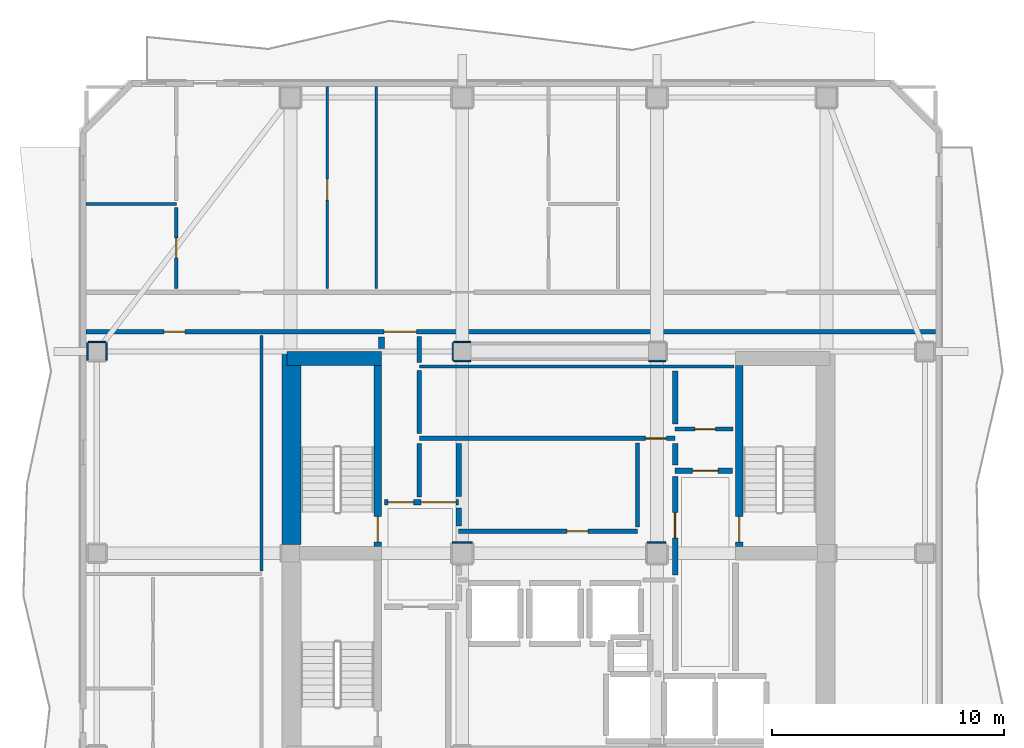
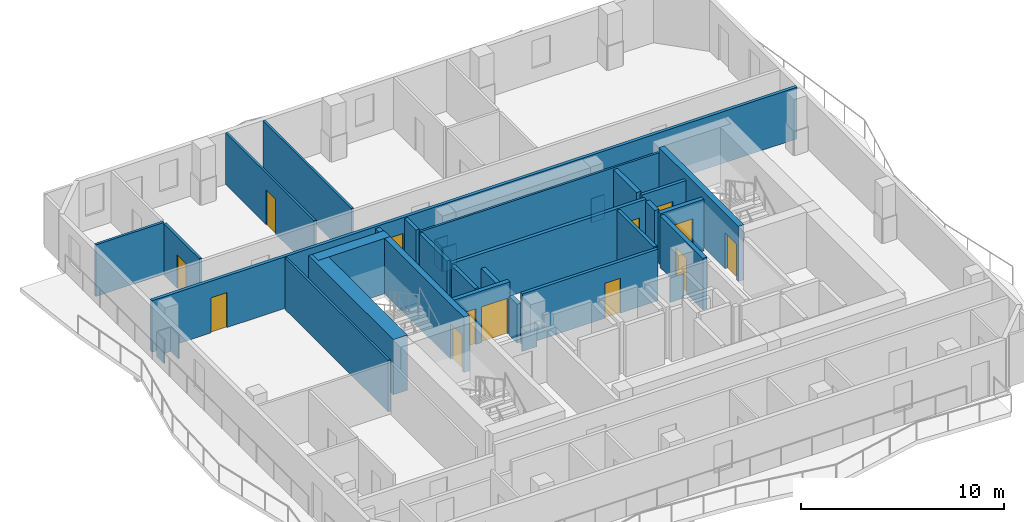
# One storey, part 4 of 10: 35 walls, 13 doors, 13 openings.
"""IFC4 building model written with IfcOpenShell, lengths in metres."""

from ifc_helpers import new_model, si_unit, direction, frame, frame_2d, origin, place, context, subcontext, project, spatial, rectangle, extrude, material, layer, layer_set, type_object, element, fill, save


model = new_model("IFC4")

# Units and contexts
model_context = context("Model", 3, precision=1e-05, world=origin(), true_north=direction((0.0, 1.0)))
body_context = subcontext(model_context, "Body", "Model", "MODEL_VIEW")
ifc_project = project(units=[si_unit("LENGTHUNIT", "METRE"), si_unit("AREAUNIT", "SQUARE_METRE"), si_unit("VOLUMEUNIT", "CUBIC_METRE"), si_unit("PLANEANGLEUNIT", "RADIAN"), si_unit("MASSUNIT", "GRAM", prefix="KILO")], contexts=[model_context])

# Site, building, storey
site_placement = place(None, origin())
site = spatial("IfcSite", under=ifc_project, at=site_placement, CompositionType="ELEMENT")
building_placement = place(site_placement, origin())
building = spatial("IfcBuilding", under=site, at=building_placement, Name="Solanera Arch Residences", CompositionType="ELEMENT")
storey_placement = place(building_placement, frame((0.0, 0.0, 265.56005859375)))
storey = spatial("IfcBuildingStorey", under=building, at=storey_placement, Name="L77", CompositionType="ELEMENT", Elevation=265.56005859375)

# Walls
ifc_material_1 = material(Name="Fire-Rated Gypsum Stud Partition", Category="gypsum")
ifc_layer_1 = layer(ifc_material_1, 0.06005859375)
ifc_layer_set_1 = layer_set([ifc_layer_1], Name="Fire-Rated Gypsum Stud Partition")
wall_type_1 = type_object("IfcWallType", Name="Column Acoustic Furring Wall 60", PredefinedType="PARTITIONING", material=ifc_layer_set_1)
for number, where, z_axis, x_axis, name in (
    (1, (20.425048828125, 38.992919921875, 0.0), (0.0, 0.0, 1.0), (1.0, 0.0, 0.0), "L77 Column Furring 3S"),
    (2, (20.425048828125, 39.806884765625, 0.0), (0.0, 0.0, 1.0), (1.0, 0.0, 0.0), "L77 Column Furring 3N"),
):
    element("IfcWall", number, at=place(storey_placement, frame(where, z_axis=z_axis, x_axis=x_axis)), inside=storey, type_object=wall_type_1, Name=name, PredefinedType="PARTITIONING", context=body_context, shape_type="SweptSolid", body=[
        extrude(rectangle(XDim=0.741943359375, YDim=0.06005859375, at=frame_2d((0.37109375, 0.0))), origin(), (0.0, 0.0, 1.0), 1.449951171875),
    ])
wall_1_placement = place(storey_placement, frame((20.39306640625, 39.02490234375, 0.0), z_axis=(0.0, 0.0, 1.0), x_axis=(0.0, 1.0, 0.0)))
element("IfcWall", 3, at=wall_1_placement, inside=storey, type_object=wall_type_1, Name="L77 Column Furring 3W", PredefinedType="PARTITIONING", context=body_context, shape_type="SweptSolid", body=[
    extrude(rectangle(XDim=0.75, YDim=0.06005859375, at=frame_2d((0.375, 0.0))), origin(), (0.0, 0.0, 1.0), 1.449951171875),
])
wall_2_placement = place(storey_placement, frame((28.8330078125, 38.992919921875, 0.0), z_axis=(0.0, 0.0, 1.0), x_axis=(1.0, 0.0, 0.0)))
element("IfcWall", 4, at=wall_2_placement, inside=storey, type_object=wall_type_1, Name="L77 Column Furring 4S", PredefinedType="PARTITIONING", context=body_context, shape_type="SweptSolid", body=[
    extrude(rectangle(XDim=0.741943359375, YDim=0.06005859375, at=frame_2d((0.37109375, 0.0))), origin(), (0.0, 0.0, 1.0), 1.449951171875),
])
wall_3_placement = place(storey_placement, frame((20.375, 31.156982421875, 0.0), z_axis=(0.0, 0.0, 1.0), x_axis=(1.0, 0.0, 0.0)))
element("IfcWall", 5, at=wall_3_placement, inside=storey, type_object=wall_type_1, Name="L77 Column Furring 7N", PredefinedType="PARTITIONING", context=body_context, shape_type="SweptSolid", body=[
    extrude(rectangle(XDim=0.85009765625, YDim=0.06005859375, at=frame_2d((0.425048828125, 0.0))), origin(), (0.0, 0.0, 1.0), 1.449951171875),
])
wall_4_placement = place(storey_placement, frame((28.77490234375, 31.156982421875, 0.0), z_axis=(0.0, 0.0, 1.0), x_axis=(1.0, 0.0, 0.0)))
element("IfcWall", 6, at=wall_4_placement, inside=storey, type_object=wall_type_1, Name="L77 Column Furring 8N", PredefinedType="PARTITIONING", context=body_context, shape_type="SweptSolid", body=[
    extrude(rectangle(XDim=0.794189453125, YDim=0.06005859375, at=frame_2d((0.39697265625, 0.0))), origin(), (0.0, 0.0, 1.0), 1.449951171875),
])
for number, where, z_axis, x_axis, name in (
    (7, (4.675048828125, 39.806884765625, 0.0), (0.0, 0.0, 1.0), (1.0, 0.0, 0.0), "L77 Column Furring 21N"),
    (8, (4.64306640625, 39.02490234375, 0.0), (0.0, 0.0, 1.0), (0.0, 1.0, 0.0), "L77 Column Furring 21W"),
    (9, (5.45703125, 39.02490234375, 0.0), (0.0, 0.0, 1.0), (0.0, 1.0, 0.0), "L77 Column Furring 21E"),
):
    element("IfcWall", number, at=place(storey_placement, frame(where, z_axis=z_axis, x_axis=x_axis)), inside=storey, type_object=wall_type_1, Name=name, PredefinedType="PARTITIONING", context=body_context, shape_type="SweptSolid", body=[
        extrude(rectangle(XDim=0.75, YDim=0.06005859375, at=frame_2d((0.375, 0.0))), origin(), (0.0, 0.0, 1.0), 1.449951171875),
    ])

# Wall, opening, door
ifc_material_2 = material(Name="Concrete C40/50 (f'c = 45 MPa)", Category="concrete")
ifc_layer_2 = layer(ifc_material_2, 0.320068359375)
ifc_layer_set_2 = layer_set([ifc_layer_2], Name="Concrete C40/50 (f'c = 45 MPa)")
wall_type_2 = type_object("IfcWallType", Name="Core Shear Wall CW-320", PredefinedType="SHEAR", material=ifc_layer_set_2)
wall_5_placement = place(storey_placement, frame((17.159912109375, 31.0, 0.0), z_axis=(0.0, 0.0, 1.0), x_axis=(0.0, 1.0, 0.0)))
wall_5 = element("IfcWall", 10, at=wall_5_placement, inside=storey, type_object=wall_type_2, Name="L77 Stair ST-T1 East Shear Wall", PredefinedType="SHEAR", context=body_context, shape_type="SweptSolid", body=[
    extrude(rectangle(XDim=7.800048828125, YDim=0.320068359375, at=frame_2d((3.89990234375, 0.0))), origin(), (0.0, 0.0, 1.0), 3.31982421875),
])
opening_1_placement = place(wall_5_placement, frame((0.18994140625, 0.0, 0.0)))
opening_1 = element("IfcOpeningElement", 11, at=opening_1_placement, cuts=wall_5, Name="Opening DF-01", PredefinedType="OPENING", context=body_context, shape_type="SweptSolid", body=[
    extrude(rectangle(XDim=1.10009765625, YDim=2.14990234375, at=frame_2d((0.550048828125, 1.074951171875))), frame((0.0, 0.169921875, 0.0), z_axis=(0.0, -1.0, 0.0), x_axis=(1.0, 0.0, 0.0)), (0.0, 0.0, 1.0), 0.3401),
])
ifc_material_3 = material(Name="Fire-Rated Architectural Hardwood", Category="wood")
door_type_1 = type_object("IfcDoorType", Name="Stair Exit Fire Door DF-01", OperationType="NOTDEFINED", PredefinedType="DOOR", material=ifc_material_3)
door_1_placement = place(opening_1_placement, origin())
door_1 = element("IfcDoor", 12, at=door_1_placement, inside=storey, type_object=door_type_1, Name="DR-L77-STAIR-ST-T1", OperationType="SINGLE_SWING_LEFT", OverallHeight=2.14990234375, OverallWidth=1.10009765625, PredefinedType="DOOR", context=body_context, shape_type="SweptSolid", body=[
    extrude(rectangle(XDim=1.10009765625, YDim=2.14990234375, at=frame_2d((0.550048828125, 1.074951171875))), frame((0.0, 0.02490234375, 0.0), z_axis=(0.0, -1.0, 0.0), x_axis=(1.0, 0.0, 0.0)), (0.0, 0.0, 1.0), 0.050048828125),
])
fill(opening_1, door_1)

wall_6_placement = place(storey_placement, frame((32.739990234375, 31.0, 0.0), z_axis=(0.0, 0.0, 1.0), x_axis=(0.0, 1.0, 0.0)))
wall_6 = element("IfcWall", 13, at=wall_6_placement, inside=storey, type_object=wall_type_2, Name="L77 Stair ST-T2 West Shear Wall", PredefinedType="SHEAR", context=body_context, shape_type="SweptSolid", body=[
    extrude(rectangle(XDim=7.800048828125, YDim=0.320068359375, at=frame_2d((3.89990234375, 0.0))), origin(), (0.0, 0.0, 1.0), 3.31982421875),
])
opening_2_placement = place(wall_6_placement, frame((0.18994140625, 0.0, 0.0)))
opening_2 = element("IfcOpeningElement", 14, at=opening_2_placement, cuts=wall_6, Name="Opening DF-01", PredefinedType="OPENING", context=body_context, shape_type="SweptSolid", body=[
    extrude(rectangle(XDim=1.10009765625, YDim=2.14990234375, at=frame_2d((0.550048828125, 1.074951171875))), frame((0.0, 0.169921875, 0.0), z_axis=(0.0, -1.0, 0.0), x_axis=(1.0, 0.0, 0.0)), (0.0, 0.0, 1.0), 0.3401),
])
door_2_placement = place(opening_2_placement, origin())
door_2 = element("IfcDoor", 15, at=door_2_placement, inside=storey, type_object=door_type_1, Name="DR-L77-STAIR-ST-T2", OperationType="SINGLE_SWING_RIGHT", OverallHeight=2.14990234375, OverallWidth=1.10009765625, PredefinedType="DOOR", context=body_context, shape_type="SweptSolid", body=[
    extrude(rectangle(XDim=1.10009765625, YDim=2.14990234375, at=frame_2d((0.550048828125, 1.074951171875))), frame((0.0, 0.02490234375, 0.0), z_axis=(0.0, -1.0, 0.0), x_axis=(1.0, 0.0, 0.0)), (0.0, 0.0, 1.0), 0.050048828125),
])
fill(opening_2, door_2)

# Walls
ifc_material_4 = material(Name="Concrete C40/50 (f'c = 45 MPa)", Category="concrete")
ifc_layer_3 = layer(ifc_material_4, 0.60009765625)
ifc_layer_set_3 = layer_set([ifc_layer_3], Name="Concrete C40/50 (f'c = 45 MPa)")
wall_type_3 = type_object("IfcWallType", Name="Core Shear Wall CW-600", PredefinedType="SHEAR", material=ifc_layer_set_3)
wall_7_placement = place(storey_placement, frame((13.239990234375, 39.10009765625, 0.0), z_axis=(0.0, 0.0, 1.0), x_axis=(1.0, 0.0, 0.0)))
element("IfcWall", 16, at=wall_7_placement, inside=storey, type_object=wall_type_3, Name="L77 North-West Core Shear Wall", PredefinedType="SHEAR", context=body_context, shape_type="SweptSolid", body=[
    extrude(rectangle(XDim=4.080078125, YDim=0.60009765625, at=frame_2d((2.0400390625, 0.0))), origin(), (0.0, 0.0, 1.0), 3.31982421875),
])
ifc_material_5 = material(Name="Concrete C40/50 (f'c = 45 MPa)", Category="concrete")
ifc_layer_4 = layer(ifc_material_5, 0.800048828125)
ifc_layer_set_4 = layer_set([ifc_layer_4], Name="Concrete C40/50 (f'c = 45 MPa)")
wall_type_4 = type_object("IfcWallType", Name="Core Shear Wall CW-800", PredefinedType="SHEAR", material=ifc_layer_set_4)
wall_8_placement = place(storey_placement, frame((13.43994140625, 31.080078125, 0.0), z_axis=(0.0, 0.0, 1.0), x_axis=(0.0, 1.0, 0.0)))
element("IfcWall", 17, at=wall_8_placement, inside=storey, type_object=wall_type_4, Name="L77 West Core North Shear Wall", PredefinedType="SHEAR", context=body_context, shape_type="SweptSolid", body=[
    extrude(rectangle(XDim=8.31982421875, YDim=0.800048828125, at=frame_2d((4.159912109375, 0.0))), origin(), (0.0, 0.0, 1.0), 3.31982421875),
])

# Wall, opening, door
ifc_material_6 = material(Name="Autoclaved Aerated Concrete Blockwork", Category="masonry")
ifc_layer_5 = layer(ifc_material_6, 0.179931640625)
ifc_layer_set_5 = layer_set([ifc_layer_5], Name="Autoclaved Aerated Concrete Blockwork")
wall_type_5 = type_object("IfcWallType", Name="Corridor Fire Partition 180", PredefinedType="PARTITIONING", material=ifc_layer_set_5)
wall_9_placement = place(storey_placement, frame((20.64990234375, 31.64990234375, 0.0), z_axis=(0.0, 0.0, 1.0), x_axis=(1.0, 0.0, 0.0)))
wall_9 = element("IfcWall", 18, at=wall_9_placement, inside=storey, type_object=wall_type_5, Name="L77 Interior Partition H9", PredefinedType="PARTITIONING", context=body_context, shape_type="SweptSolid", body=[
    extrude(rectangle(XDim=7.7001953125, YDim=0.179931640625, at=frame_2d((3.85009765625, 0.0))), origin(), (0.0, 0.0, 1.0), 3.099853515625),
])
opening_3_placement = place(wall_9_placement, frame((4.673095703125, 0.0, 0.0)))
opening_3 = element("IfcOpeningElement", 19, at=opening_3_placement, cuts=wall_9, Name="Opening DI-02", PredefinedType="OPENING", context=body_context, shape_type="SweptSolid", body=[
    extrude(rectangle(XDim=0.89990234375, YDim=2.10009765625, at=frame_2d((0.449951171875, 1.050048828125))), frame((0.0, 0.10009765625, 0.0), z_axis=(0.0, -1.0, 0.0), x_axis=(1.0, 0.0, 0.0)), (0.0, 0.0, 1.0), 0.1999),
])
ifc_material_7 = material(Name="Fire-Rated Architectural Hardwood", Category="wood")
door_type_2 = type_object("IfcDoorType", Name="Suite Room Swing Door DI-02", OperationType="NOTDEFINED", PredefinedType="DOOR", material=ifc_material_7)
door_3_placement = place(opening_3_placement, origin())
door_3 = element("IfcDoor", 20, at=door_3_placement, inside=storey, type_object=door_type_2, Name="DR-L77-IN-013", OperationType="SINGLE_SWING_LEFT", OverallHeight=2.10009765625, OverallWidth=0.89990234375, PredefinedType="DOOR", context=body_context, shape_type="SweptSolid", body=[
    extrude(rectangle(XDim=0.89990234375, YDim=2.10009765625, at=frame_2d((0.449951171875, 1.050048828125))), frame((0.0, 0.02490234375, 0.0), z_axis=(0.0, -1.0, 0.0), x_axis=(1.0, 0.0, 0.0)), (0.0, 0.0, 1.0), 0.050048828125),
])
fill(opening_3, door_3)

wall_10_placement = place(storey_placement, frame((29.97509765625, 36.050048828125, 0.0), z_axis=(0.0, 0.0, 1.0), x_axis=(1.0, 0.0, 0.0)))
wall_10 = element("IfcWall", 21, at=wall_10_placement, inside=storey, type_object=wall_type_5, Name="L77 Interior Partition H10", PredefinedType="PARTITIONING", context=body_context, shape_type="SweptSolid", body=[
    extrude(rectangle(XDim=2.5048828125, YDim=0.179931640625, at=frame_2d((1.25244140625, 0.0))), origin(), (0.0, 0.0, 1.0), 3.099853515625),
])
opening_4_placement = place(wall_10_placement, frame((0.85205078125, 0.0, 0.0)))
opening_4 = element("IfcOpeningElement", 22, at=opening_4_placement, cuts=wall_10, Name="Opening DI-02", PredefinedType="OPENING", context=body_context, shape_type="SweptSolid", body=[
    extrude(rectangle(XDim=0.89990234375, YDim=2.10009765625, at=frame_2d((0.449951171875, 1.050048828125))), frame((0.0, 0.10009765625, 0.0), z_axis=(0.0, -1.0, 0.0), x_axis=(1.0, 0.0, 0.0)), (0.0, 0.0, 1.0), 0.1999),
])
door_4_placement = place(opening_4_placement, origin())
door_4 = element("IfcDoor", 23, at=door_4_placement, inside=storey, type_object=door_type_2, Name="DR-L77-IN-011", OperationType="SINGLE_SWING_LEFT", OverallHeight=2.10009765625, OverallWidth=0.89990234375, PredefinedType="DOOR", context=body_context, shape_type="SweptSolid", body=[
    extrude(rectangle(XDim=0.89990234375, YDim=2.10009765625, at=frame_2d((0.449951171875, 1.050048828125))), frame((0.0, 0.02490234375, 0.0), z_axis=(0.0, -1.0, 0.0), x_axis=(1.0, 0.0, 0.0)), (0.0, 0.0, 1.0), 0.050048828125),
])
fill(opening_4, door_4)

# Wall, openings, doors
wall_11_placement = place(storey_placement, frame((4.5869140625, 40.25, 0.0), z_axis=(0.0, 0.0, 1.0), x_axis=(1.0, 0.0, 0.0)))
wall_11 = element("IfcWall", 24, at=wall_11_placement, inside=storey, type_object=wall_type_5, Name="L77 Interior Partition H11", PredefinedType="PARTITIONING", context=body_context, shape_type="SweptSolid", body=[
    extrude(rectangle(XDim=36.6259765625, YDim=0.179931640625, at=frame_2d((18.31298828125, 0.0))), origin(), (0.0, 0.0, 1.0), 3.099853515625),
])
opening_5_placement = place(wall_11_placement, frame((12.847900390625, 0.0, 0.0)))
opening_5 = element("IfcOpeningElement", 25, at=opening_5_placement, cuts=wall_11, Name="Opening DF-03", PredefinedType="OPENING", context=body_context, shape_type="SweptSolid", body=[
    extrude(rectangle(XDim=1.39990234375, YDim=2.14990234375, at=frame_2d((0.699951171875, 1.074951171875))), frame((0.0, 0.10009765625, 0.0), z_axis=(0.0, -1.0, 0.0), x_axis=(1.0, 0.0, 0.0)), (0.0, 0.0, 1.0), 0.1999),
])
opening_6_placement = place(wall_11_placement, frame((3.362060546875, 0.0, 0.0)))
opening_6 = element("IfcOpeningElement", 26, at=opening_6_placement, cuts=wall_11, Name="Opening DI-02", PredefinedType="OPENING", context=body_context, shape_type="SweptSolid", body=[
    extrude(rectangle(XDim=0.89990234375, YDim=2.10009765625, at=frame_2d((0.449951171875, 1.050048828125))), frame((0.0, 0.10009765625, 0.0), z_axis=(0.0, -1.0, 0.0), x_axis=(1.0, 0.0, 0.0)), (0.0, 0.0, 1.0), 0.1999),
])
ifc_material_8 = material(Name="Fire-Rated Architectural Hardwood", Category="wood")
door_type_3 = type_object("IfcDoorType", Name="Corridor Smoke Door DF-03", OperationType="NOTDEFINED", PredefinedType="DOOR", material=ifc_material_8)
door_5_placement = place(opening_5_placement, origin())
door_5 = element("IfcDoor", 27, at=door_5_placement, inside=storey, type_object=door_type_3, Name="DR-L77-IN-009", OperationType="SINGLE_SWING_LEFT", OverallHeight=2.14990234375, OverallWidth=1.39990234375, PredefinedType="DOOR", context=body_context, shape_type="SweptSolid", body=[
    extrude(rectangle(XDim=1.39990234375, YDim=2.14990234375, at=frame_2d((0.699951171875, 1.074951171875))), frame((0.0, 0.02490234375, 0.0), z_axis=(0.0, -1.0, 0.0), x_axis=(1.0, 0.0, 0.0)), (0.0, 0.0, 1.0), 0.050048828125),
])
fill(opening_5, door_5)
door_6_placement = place(opening_6_placement, origin())
door_6 = element("IfcDoor", 28, at=door_6_placement, inside=storey, type_object=door_type_2, Name="DR-L77-IN-034", OperationType="SINGLE_SWING_RIGHT", OverallHeight=2.10009765625, OverallWidth=0.89990234375, PredefinedType="DOOR", context=body_context, shape_type="SweptSolid", body=[
    extrude(rectangle(XDim=0.89990234375, YDim=2.10009765625, at=frame_2d((0.449951171875, 1.050048828125))), frame((0.0, 0.02490234375, 0.0), z_axis=(0.0, -1.0, 0.0), x_axis=(1.0, 0.0, 0.0)), (0.0, 0.0, 1.0), 0.050048828125),
])
fill(opening_6, door_6)

# Wall
wall_12_placement = place(storey_placement, frame((28.35009765625, 31.837890625, 0.0), z_axis=(0.0, 0.0, 1.0), x_axis=(0.0, 1.0, 0.0)))
element("IfcWall", 29, at=wall_12_placement, inside=storey, type_object=wall_type_5, Name="L77 Interior Partition V8", PredefinedType="PARTITIONING", context=body_context, shape_type="SweptSolid", body=[
    extrude(rectangle(XDim=3.614013671875, YDim=0.179931640625, at=frame_2d((1.80712890625, 0.0))), origin(), (0.0, 0.0, 1.0), 3.099853515625),
])

# Wall, opening, door
ifc_material_9 = material(Name="Autoclaved Aerated Concrete Blockwork", Category="masonry")
ifc_layer_6 = layer(ifc_material_9, 0.199951171875)
ifc_layer_set_6 = layer_set([ifc_layer_6], Name="Autoclaved Aerated Concrete Blockwork")
wall_type_6 = type_object("IfcWallType", Name="Party Wall Acoustic 200", PredefinedType="PARTITIONING", material=ifc_layer_set_6)
wall_13_placement = place(storey_placement, frame((18.949951171875, 35.64990234375, 0.0), z_axis=(0.0, 0.0, 1.0), x_axis=(1.0, 0.0, 0.0)))
wall_13 = element("IfcWall", 30, at=wall_13_placement, inside=storey, type_object=wall_type_6, Name="L77 Interior Partition H6", PredefinedType="PARTITIONING", context=body_context, shape_type="SweptSolid", body=[
    extrude(rectangle(XDim=11.025146484375, YDim=0.199951171875, at=frame_2d((5.5126953125, 0.0))), origin(), (0.0, 0.0, 1.0), 3.099853515625),
])
opening_7_placement = place(wall_13_placement, frame((9.7490234375, 0.0, 0.0)))
opening_7 = element("IfcOpeningElement", 31, at=opening_7_placement, cuts=wall_13, Name="Opening DI-02", PredefinedType="OPENING", context=body_context, shape_type="SweptSolid", body=[
    extrude(rectangle(XDim=0.89990234375, YDim=2.10009765625, at=frame_2d((0.449951171875, 1.050048828125))), frame((0.0, 0.110107421875, 0.0), z_axis=(0.0, -1.0, 0.0), x_axis=(1.0, 0.0, 0.0)), (0.0, 0.0, 1.0), 0.22),
])
door_7_placement = place(opening_7_placement, origin())
door_7 = element("IfcDoor", 32, at=door_7_placement, inside=storey, type_object=door_type_2, Name="DR-L77-IN-012", OperationType="SINGLE_SWING_RIGHT", OverallHeight=2.10009765625, OverallWidth=0.89990234375, PredefinedType="DOOR", context=body_context, shape_type="SweptSolid", body=[
    extrude(rectangle(XDim=0.89990234375, YDim=2.10009765625, at=frame_2d((0.449951171875, 1.050048828125))), frame((0.0, 0.02490234375, 0.0), z_axis=(0.0, -1.0, 0.0), x_axis=(1.0, 0.0, 0.0)), (0.0, 0.0, 1.0), 0.050048828125),
])
fill(opening_7, door_7)

# Walls
wall_14_placement = place(storey_placement, frame((18.949951171875, 33.1279296875, 0.0), z_axis=(0.0, 0.0, 1.0), x_axis=(0.0, 1.0, 0.0)))
element("IfcWall", 33, at=wall_14_placement, inside=storey, type_object=wall_type_6, Name="L77 Interior Partition V6 1", PredefinedType="PARTITIONING", context=body_context, shape_type="SweptSolid", body=[
    extrude(rectangle(XDim=2.31396484375, YDim=0.199951171875, at=frame_2d((1.156982421875, 0.0))), origin(), (0.0, 0.0, 1.0), 3.099853515625),
])
wall_15_placement = place(storey_placement, frame((18.949951171875, 35.85791015625, 0.0), z_axis=(0.0, 0.0, 1.0), x_axis=(0.0, 1.0, 0.0)))
element("IfcWall", 34, at=wall_15_placement, inside=storey, type_object=wall_type_6, Name="L77 Interior Partition V6 2", PredefinedType="PARTITIONING", context=body_context, shape_type="SweptSolid", body=[
    extrude(rectangle(XDim=2.72412109375, YDim=0.199951171875, at=frame_2d((1.362060546875, 0.0))), origin(), (0.0, 0.0, 1.0), 3.099853515625),
])
wall_16_placement = place(storey_placement, frame((18.949951171875, 38.91796875, 0.0), z_axis=(0.0, 0.0, 1.0), x_axis=(0.0, 1.0, 0.0)))
element("IfcWall", 35, at=wall_16_placement, inside=storey, type_object=wall_type_6, Name="L77 Interior Partition V6 3", PredefinedType="PARTITIONING", context=body_context, shape_type="SweptSolid", body=[
    extrude(rectangle(XDim=1.134033203125, YDim=0.199951171875, at=frame_2d((0.56689453125, 0.0))), origin(), (0.0, 0.0, 1.0), 3.099853515625),
])

# Wall, openings, doors
ifc_material_10 = material(Name="Autoclaved Aerated Concrete Blockwork", Category="masonry")
ifc_layer_7 = layer(ifc_material_10, 0.239990234375)
ifc_layer_set_7 = layer_set([ifc_layer_7], Name="Autoclaved Aerated Concrete Blockwork")
wall_type_7 = type_object("IfcWallType", Name="Shaft Wall Fire-Rated 240", PredefinedType="PARTITIONING", material=ifc_layer_set_7)
wall_17_placement = place(storey_placement, frame((17.449951171875, 32.89990234375, 0.0), z_axis=(0.0, 0.0, 1.0), x_axis=(1.0, 0.0, 0.0)))
wall_17 = element("IfcWall", 36, at=wall_17_placement, inside=storey, type_object=wall_type_7, Name="L77 Interior Partition H4", PredefinedType="PARTITIONING", context=body_context, shape_type="SweptSolid", body=[
    extrude(rectangle(XDim=3.199951171875, YDim=0.239990234375, at=frame_2d((1.60009765625, 0.0))), origin(), (0.0, 0.0, 1.0), 3.099853515625),
])
opening_8_placement = place(wall_17_placement, frame((0.158935546875, 0.0, 0.0)))
opening_8 = element("IfcOpeningElement", 37, at=opening_8_placement, cuts=wall_17, Name="Opening DF-02", PredefinedType="OPENING", context=body_context, shape_type="SweptSolid", body=[
    extrude(rectangle(XDim=1.10009765625, YDim=2.14990234375, at=frame_2d((0.550048828125, 1.074951171875))), frame((0.0, 0.1298828125, 0.0), z_axis=(0.0, -1.0, 0.0), x_axis=(1.0, 0.0, 0.0)), (0.0, 0.0, 1.0), 0.26),
])
opening_9_placement = place(wall_17_placement, frame((1.575927734375, 0.0, 0.0)))
opening_9 = element("IfcOpeningElement", 38, at=opening_9_placement, cuts=wall_17, Name="Opening DP-01", PredefinedType="OPENING", context=body_context, shape_type="SweptSolid", body=[
    extrude(rectangle(XDim=1.5, YDim=2.14990234375, at=frame_2d((0.75, 1.074951171875))), frame((0.0, 0.1298828125, 0.0), z_axis=(0.0, -1.0, 0.0), x_axis=(1.0, 0.0, 0.0)), (0.0, 0.0, 1.0), 0.26),
])
ifc_material_11 = material(Name="Fire-Rated Architectural Hardwood", Category="wood")
door_type_4 = type_object("IfcDoorType", Name="Firefighting Lobby Fire Door DF-02", OperationType="NOTDEFINED", PredefinedType="DOOR", material=ifc_material_11)
door_8_placement = place(opening_8_placement, origin())
door_8 = element("IfcDoor", 39, at=door_8_placement, inside=storey, type_object=door_type_4, Name="DR-L77-IN-005", OperationType="SINGLE_SWING_LEFT", OverallHeight=2.14990234375, OverallWidth=1.10009765625, PredefinedType="DOOR", context=body_context, shape_type="SweptSolid", body=[
    extrude(rectangle(XDim=1.10009765625, YDim=2.14990234375, at=frame_2d((0.550048828125, 1.074951171875))), frame((0.0, 0.02490234375, 0.0), z_axis=(0.0, -1.0, 0.0), x_axis=(1.0, 0.0, 0.0)), (0.0, 0.0, 1.0), 0.050048828125),
])
fill(opening_8, door_8)
ifc_material_12 = material(Name="Fire-Rated Architectural Hardwood", Category="wood")
door_type_5 = type_object("IfcDoorType", Name="Plant Double Fire Door DP-01", OperationType="NOTDEFINED", PredefinedType="DOOR", material=ifc_material_12)
door_9_placement = place(opening_9_placement, origin())
door_9 = element("IfcDoor", 40, at=door_9_placement, inside=storey, type_object=door_type_5, Name="DR-L77-IN-010", OperationType="SINGLE_SWING_RIGHT", OverallHeight=2.14990234375, OverallWidth=1.5, PredefinedType="DOOR", context=body_context, shape_type="SweptSolid", body=[
    extrude(rectangle(XDim=1.5, YDim=2.14990234375, at=frame_2d((0.75, 1.074951171875))), frame((0.0, 0.02490234375, 0.0), z_axis=(0.0, -1.0, 0.0), x_axis=(1.0, 0.0, 0.0)), (0.0, 0.0, 1.0), 0.050048828125),
])
fill(opening_9, door_9)

# Wall, opening, door
wall_18_placement = place(storey_placement, frame((29.97509765625, 34.25, 0.0), z_axis=(0.0, 0.0, 1.0), x_axis=(1.0, 0.0, 0.0)))
wall_18 = element("IfcWall", 41, at=wall_18_placement, inside=storey, type_object=wall_type_7, Name="L77 Interior Partition H5", PredefinedType="PARTITIONING", context=body_context, shape_type="SweptSolid", body=[
    extrude(rectangle(XDim=2.474853515625, YDim=0.239990234375, at=frame_2d((1.2373046875, 0.0))), origin(), (0.0, 0.0, 1.0), 3.099853515625),
])
opening_10_placement = place(wall_18_placement, frame((0.751953125, 0.0, 0.0)))
opening_10 = element("IfcOpeningElement", 42, at=opening_10_placement, cuts=wall_18, Name="Opening DF-02", PredefinedType="OPENING", context=body_context, shape_type="SweptSolid", body=[
    extrude(rectangle(XDim=1.10009765625, YDim=2.14990234375, at=frame_2d((0.550048828125, 1.074951171875))), frame((0.0, 0.1298828125, 0.0), z_axis=(0.0, -1.0, 0.0), x_axis=(1.0, 0.0, 0.0)), (0.0, 0.0, 1.0), 0.26),
])
door_10_placement = place(opening_10_placement, origin())
door_10 = element("IfcDoor", 43, at=door_10_placement, inside=storey, type_object=door_type_4, Name="DR-L77-IN-007", OperationType="SINGLE_SWING_LEFT", OverallHeight=2.14990234375, OverallWidth=1.10009765625, PredefinedType="DOOR", context=body_context, shape_type="SweptSolid", body=[
    extrude(rectangle(XDim=1.10009765625, YDim=2.14990234375, at=frame_2d((0.550048828125, 1.074951171875))), frame((0.0, 0.02490234375, 0.0), z_axis=(0.0, -1.0, 0.0), x_axis=(1.0, 0.0, 0.0)), (0.0, 0.0, 1.0), 0.050048828125),
])
fill(opening_10, door_10)

# Walls
wall_19_placement = place(storey_placement, frame((17.320068359375, 39.530029296875, 0.0), z_axis=(0.0, 0.0, 1.0), x_axis=(0.0, 1.0, 0.0)))
element("IfcWall", 44, at=wall_19_placement, inside=storey, type_object=wall_type_7, Name="L77 Interior Partition V1", PredefinedType="PARTITIONING", context=body_context, shape_type="SweptSolid", body=[
    extrude(rectangle(XDim=0.501953125, YDim=0.239990234375, at=frame_2d((0.2509765625, 0.0))), origin(), (0.0, 0.0, 1.0), 3.099853515625),
])
wall_20_placement = place(storey_placement, frame((20.64990234375, 31.867919921875, 0.0), z_axis=(0.0, 0.0, 1.0), x_axis=(0.0, 1.0, 0.0)))
element("IfcWall", 45, at=wall_20_placement, inside=storey, type_object=wall_type_7, Name="L77 Interior Partition V3 3", PredefinedType="PARTITIONING", context=body_context, shape_type="SweptSolid", body=[
    extrude(rectangle(XDim=0.7841796875, YDim=0.239990234375, at=frame_2d((0.39208984375, 0.0))), origin(), (0.0, 0.0, 1.0), 2.3349609375),
])
wall_21_placement = place(storey_placement, frame((20.64990234375, 33.14794921875, 0.0), z_axis=(0.0, 0.0, 1.0), x_axis=(0.0, 1.0, 0.0)))
element("IfcWall", 46, at=wall_21_placement, inside=storey, type_object=wall_type_7, Name="L77 Interior Partition V3 4", PredefinedType="PARTITIONING", context=body_context, shape_type="SweptSolid", body=[
    extrude(rectangle(XDim=2.274169921875, YDim=0.239990234375, at=frame_2d((1.13720703125, 0.0))), origin(), (0.0, 0.0, 1.0), 2.3349609375),
])

# Wall, opening, door
wall_22_placement = place(storey_placement, frame((29.97509765625, 29.76806640625, 0.0), z_axis=(0.0, 0.0, 1.0), x_axis=(0.0, 1.0, 0.0)))
wall_22 = element("IfcWall", 47, at=wall_22_placement, inside=storey, type_object=wall_type_7, Name="L77 Interior Partition V4 2", PredefinedType="PARTITIONING", context=body_context, shape_type="SweptSolid", body=[
    extrude(rectangle(XDim=4.23388671875, YDim=0.239990234375, at=frame_2d((2.116943359375, 0.0))), origin(), (0.0, 0.0, 1.0), 3.099853515625),
])
opening_11_placement = place(wall_22_placement, frame((1.58203125, 0.0, 0.0)))
opening_11 = element("IfcOpeningElement", 48, at=opening_11_placement, cuts=wall_22, Name="Opening DF-02", PredefinedType="OPENING", context=body_context, shape_type="SweptSolid", body=[
    extrude(rectangle(XDim=1.10009765625, YDim=2.14990234375, at=frame_2d((0.550048828125, 1.074951171875))), frame((0.0, 0.1298828125, 0.0), z_axis=(0.0, -1.0, 0.0), x_axis=(1.0, 0.0, 0.0)), (0.0, 0.0, 1.0), 0.26),
])
door_11_placement = place(opening_11_placement, origin())
door_11 = element("IfcDoor", 49, at=door_11_placement, inside=storey, type_object=door_type_4, Name="DR-L77-IN-006", OperationType="SINGLE_SWING_RIGHT", OverallHeight=2.14990234375, OverallWidth=1.10009765625, PredefinedType="DOOR", context=body_context, shape_type="SweptSolid", body=[
    extrude(rectangle(XDim=1.10009765625, YDim=2.14990234375, at=frame_2d((0.550048828125, 1.074951171875))), frame((0.0, 0.02490234375, 0.0), z_axis=(0.0, -1.0, 0.0), x_axis=(1.0, 0.0, 0.0)), (0.0, 0.0, 1.0), 0.050048828125),
])
fill(opening_11, door_11)

# Walls
wall_23_placement = place(storey_placement, frame((29.97509765625, 34.498046875, 0.0), z_axis=(0.0, 0.0, 1.0), x_axis=(0.0, 1.0, 0.0)))
element("IfcWall", 50, at=wall_23_placement, inside=storey, type_object=wall_type_7, Name="L77 Interior Partition V4 3", PredefinedType="PARTITIONING", context=body_context, shape_type="SweptSolid", body=[
    extrude(rectangle(XDim=0.924072265625, YDim=0.239990234375, at=frame_2d((0.4619140625, 0.0))), origin(), (0.0, 0.0, 1.0), 3.099853515625),
])
wall_24_placement = place(storey_placement, frame((29.97509765625, 36.26806640625, 0.0), z_axis=(0.0, 0.0, 1.0), x_axis=(0.0, 1.0, 0.0)))
element("IfcWall", 51, at=wall_24_placement, inside=storey, type_object=wall_type_7, Name="L77 Interior Partition V4 4", PredefinedType="PARTITIONING", context=body_context, shape_type="SweptSolid", body=[
    extrude(rectangle(XDim=2.2939453125, YDim=0.239990234375, at=frame_2d((1.14697265625, 0.0))), origin(), (0.0, 0.0, 1.0), 3.099853515625),
])
ifc_material_13 = material(Name="Fire-Rated Gypsum Stud Partition", Category="gypsum")
ifc_layer_8 = layer(ifc_material_13, 0.1201171875)
ifc_layer_set_8 = layer_set([ifc_layer_8], Name="Fire-Rated Gypsum Stud Partition")
wall_type_8 = type_object("IfcWallType", Name="Unit Drywall Partition 120", PredefinedType="PARTITIONING", material=ifc_layer_set_8)
wall_25_placement = place(storey_placement, frame((18.949951171875, 38.75, 0.0), z_axis=(0.0, 0.0, 1.0), x_axis=(1.0, 0.0, 0.0)))
element("IfcWall", 52, at=wall_25_placement, inside=storey, type_object=wall_type_8, Name="L77 Interior Partition H19", PredefinedType="PARTITIONING", context=body_context, shape_type="SweptSolid", body=[
    extrude(rectangle(XDim=13.56005859375, YDim=0.1201171875, at=frame_2d((6.780029296875, 0.0))), origin(), (0.0, 0.0, 1.0), 3.099853515625),
])
wall_26_placement = place(storey_placement, frame((12.14990234375, 29.93798828125, 0.0), z_axis=(0.0, 0.0, 1.0), x_axis=(0.0, 1.0, 0.0)))
element("IfcWall", 53, at=wall_26_placement, inside=storey, type_object=wall_type_8, Name="L77 Interior Partition V21 2", PredefinedType="PARTITIONING", context=body_context, shape_type="SweptSolid", body=[
    extrude(rectangle(XDim=10.154052734375, YDim=0.1201171875, at=frame_2d((5.0771484375, 0.0))), origin(), (0.0, 0.0, 1.0), 3.099853515625),
])

# Wall, opening, door
wall_27_placement = place(storey_placement, frame((14.97998046875, 42.10791015625, 0.0), z_axis=(0.0, 0.0, 1.0), x_axis=(0.0, 1.0, 0.0)))
wall_27 = element("IfcWall", 54, at=wall_27_placement, inside=storey, type_object=wall_type_8, Name="L77 Interior Partition V22", PredefinedType="PARTITIONING", context=body_context, shape_type="SweptSolid", body=[
    extrude(rectangle(XDim=8.705078125, YDim=0.1201171875, at=frame_2d((4.3525390625, 0.0))), origin(), (0.0, 0.0, 1.0), 3.099853515625),
])
opening_12_placement = place(wall_27_placement, frame((3.81689453125, 0.0, 0.0)))
opening_12 = element("IfcOpeningElement", 55, at=opening_12_placement, cuts=wall_27, Name="Opening DI-02", PredefinedType="OPENING", context=body_context, shape_type="SweptSolid", body=[
    extrude(rectangle(XDim=0.89990234375, YDim=2.10009765625, at=frame_2d((0.449951171875, 1.050048828125))), frame((0.0, 0.070068359375, 0.0), z_axis=(0.0, -1.0, 0.0), x_axis=(1.0, 0.0, 0.0)), (0.0, 0.0, 1.0), 0.1401),
])
door_12_placement = place(opening_12_placement, origin())
door_12 = element("IfcDoor", 56, at=door_12_placement, inside=storey, type_object=door_type_2, Name="DR-L77-IN-026", OperationType="SINGLE_SWING_RIGHT", OverallHeight=2.10009765625, OverallWidth=0.89990234375, PredefinedType="DOOR", context=body_context, shape_type="SweptSolid", body=[
    extrude(rectangle(XDim=0.89990234375, YDim=2.10009765625, at=frame_2d((0.449951171875, 1.050048828125))), frame((0.0, 0.02490234375, 0.0), z_axis=(0.0, -1.0, 0.0), x_axis=(1.0, 0.0, 0.0)), (0.0, 0.0, 1.0), 0.050048828125),
])
fill(opening_12, door_12)

# Walls
wall_28_placement = place(storey_placement, frame((17.094970703125, 42.10791015625, 0.0), z_axis=(0.0, 0.0, 1.0), x_axis=(0.0, 1.0, 0.0)))
element("IfcWall", 57, at=wall_28_placement, inside=storey, type_object=wall_type_8, Name="L77 Interior Partition V23", PredefinedType="PARTITIONING", context=body_context, shape_type="SweptSolid", body=[
    extrude(rectangle(XDim=8.705078125, YDim=0.1201171875, at=frame_2d((4.3525390625, 0.0))), origin(), (0.0, 0.0, 1.0), 3.099853515625),
])
ifc_material_14 = material(Name="Autoclaved Aerated Concrete Blockwork", Category="masonry")
ifc_layer_9 = layer(ifc_material_14, 0.139892578125)
ifc_layer_set_9 = layer_set([ifc_layer_9], Name="Autoclaved Aerated Concrete Blockwork")
wall_type_9 = type_object("IfcWallType", Name="Wet-Room Partition 140", PredefinedType="PARTITIONING", material=ifc_layer_set_9)
wall_29_placement = place(storey_placement, frame((4.5869140625, 45.756103515625, 0.0), z_axis=(0.0, 0.0, 1.0), x_axis=(1.0, 0.0, 0.0)))
element("IfcWall", 58, at=wall_29_placement, inside=storey, type_object=wall_type_9, Name="L77 Interior Partition H16", PredefinedType="PARTITIONING", context=body_context, shape_type="SweptSolid", body=[
    extrude(rectangle(XDim=3.885986328125, YDim=0.139892578125, at=frame_2d((1.94287109375, 0.0))), origin(), (0.0, 0.0, 1.0), 3.099853515625),
])

# Wall, opening, door
wall_30_placement = place(storey_placement, frame((8.472900390625, 42.117919921875, 0.0), z_axis=(0.0, 0.0, 1.0), x_axis=(0.0, 1.0, 0.0)))
wall_30 = element("IfcWall", 59, at=wall_30_placement, inside=storey, type_object=wall_type_9, Name="L77 Interior Partition V13 1", PredefinedType="PARTITIONING", context=body_context, shape_type="SweptSolid", body=[
    extrude(rectangle(XDim=3.489990234375, YDim=0.139892578125, at=frame_2d((1.7451171875, 0.0))), origin(), (0.0, 0.0, 1.0), 3.099853515625),
])
opening_13_placement = place(wall_30_placement, frame((1.318115234375, 0.0, 0.0)))
opening_13 = element("IfcOpeningElement", 60, at=opening_13_placement, cuts=wall_30, Name="Opening DI-05", PredefinedType="OPENING", context=body_context, shape_type="SweptSolid", body=[
    extrude(rectangle(XDim=0.860107421875, YDim=2.02001953125, at=frame_2d((0.43017578125, 1.010009765625))), frame((0.0, 0.079833984375, 0.0), z_axis=(0.0, -1.0, 0.0), x_axis=(1.0, 0.0, 0.0)), (0.0, 0.0, 1.0), 0.1599),
])
ifc_material_15 = material(Name="Fire-Rated Architectural Hardwood", Category="wood")
door_type_6 = type_object("IfcDoorType", Name="Bathroom Swing Door DI-05", OperationType="NOTDEFINED", PredefinedType="DOOR", material=ifc_material_15)
door_13_placement = place(opening_13_placement, origin())
door_13 = element("IfcDoor", 61, at=door_13_placement, inside=storey, type_object=door_type_6, Name="DR-L77-IN-024", OperationType="SINGLE_SWING_RIGHT", OverallHeight=2.02001953125, OverallWidth=0.860107421875, PredefinedType="DOOR", context=body_context, shape_type="SweptSolid", body=[
    extrude(rectangle(XDim=0.860107421875, YDim=2.02001953125, at=frame_2d((0.43017578125, 1.010009765625))), frame((0.0, 0.02490234375, 0.0), z_axis=(0.0, -1.0, 0.0), x_axis=(1.0, 0.0, 0.0)), (0.0, 0.0, 1.0), 0.050048828125),
])
fill(opening_13, door_13)

save(model, "model.ifc")
